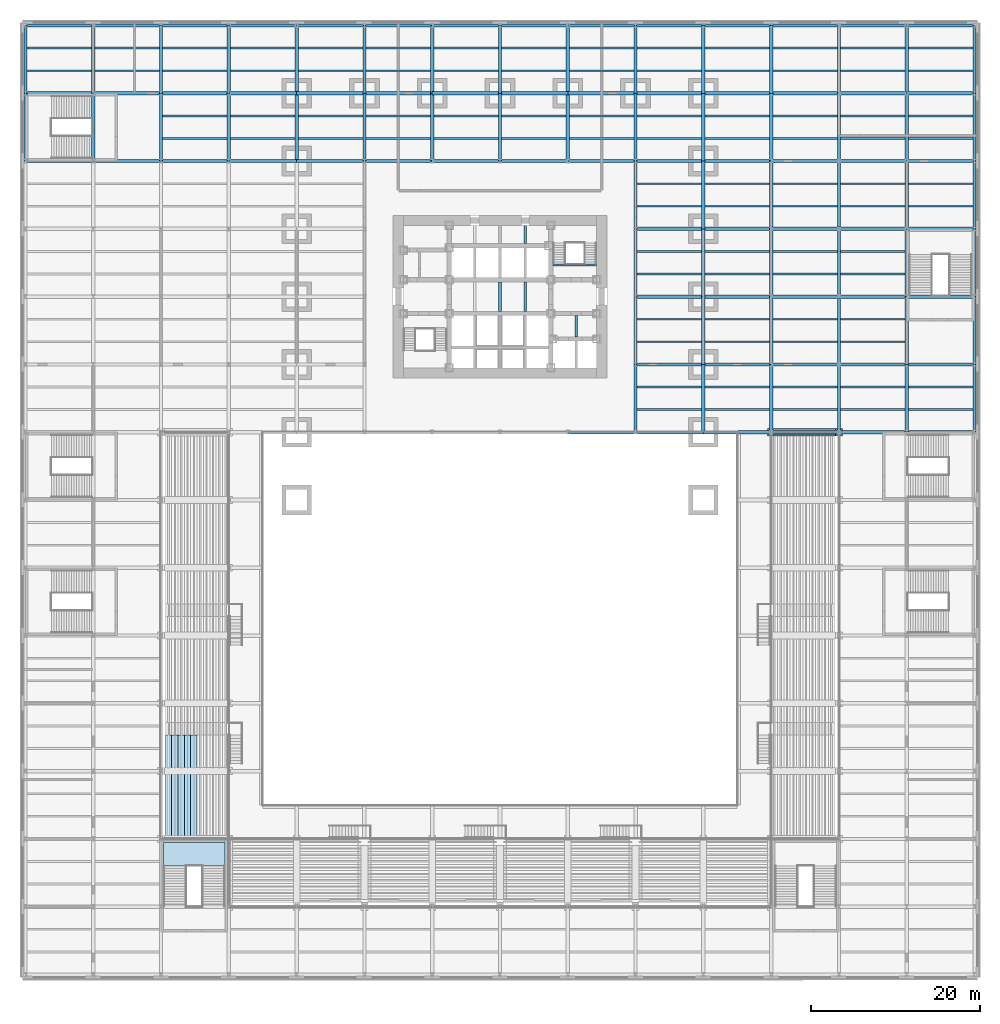
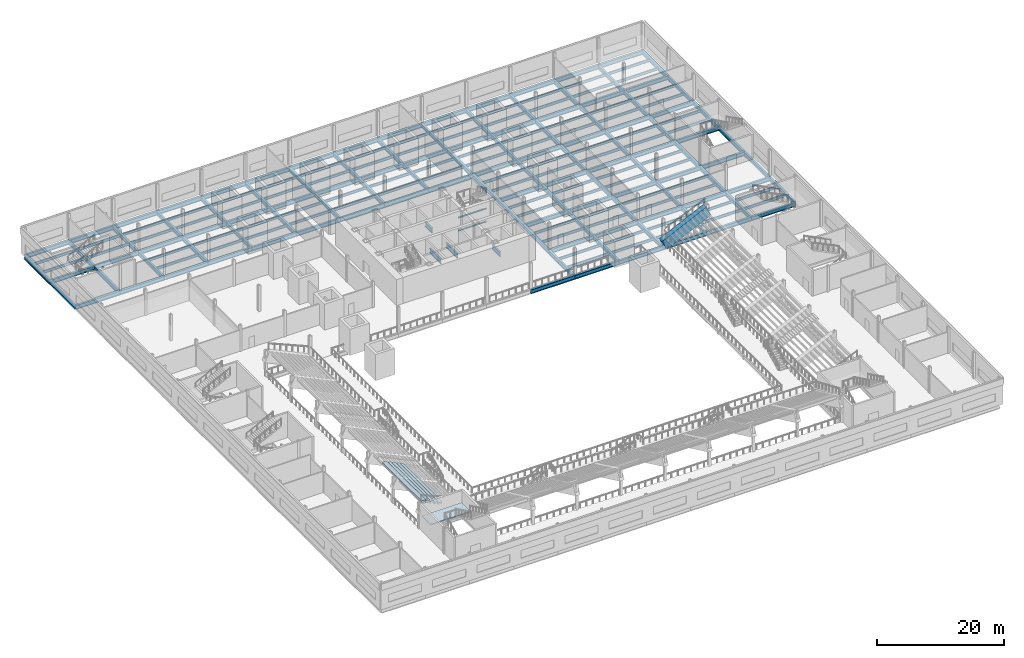
# One storey, part 10 of 27: 212 beams, 6 slabs, 1 element without a shape of its own.
"""IFC4 building model written with IfcOpenShell, lengths in metres."""

from ifc_helpers import new_model, si_unit, direction, frame, origin, origin_2d, place, context, subcontext, project, spatial, polyline, rectangle, i_section, outline, extrude, material, layer, layer_set, material_profile, profile_set, type_object, element, aggregate, save


model = new_model("IFC4")

# Units and contexts
model_context = context("Model", 3, precision=1e-05, world=origin(), true_north=direction((0.0, 1.0)))
body_context = subcontext(model_context, "Body", "Model", "MODEL_VIEW")
ifc_project = project(units=[si_unit("LENGTHUNIT", "METRE"), si_unit("AREAUNIT", "SQUARE_METRE"), si_unit("VOLUMEUNIT", "CUBIC_METRE"), si_unit("PLANEANGLEUNIT", "RADIAN"), si_unit("MASSUNIT", "GRAM", prefix="KILO")], contexts=[model_context])

# Site, building, storey
site_placement = place(None, origin())
site = spatial("IfcSite", under=ifc_project, at=site_placement, CompositionType="ELEMENT")
building_placement = place(site_placement, origin())
building = spatial("IfcBuilding", under=site, at=building_placement, Name="Daluyong Arena Tower", CompositionType="ELEMENT")
storey_placement = place(building_placement, frame((0.0, 0.0, 14.89990234375)))
storey = spatial("IfcBuildingStorey", under=building, at=storey_placement, Name="L03", CompositionType="ELEMENT", Elevation=14.89990234375)

# Beams
ifc_material_1 = material(Name="Steel ASTM A572 Grade 50", Category="steel")
ifc_material_profile_1 = material_profile(ifc_material_1, i_section(OverallWidth=0.300048828125, OverallDepth=0.89990234375, WebThickness=0.025, FlangeThickness=0.04, at=origin_2d()))
ifc_profile_set_1 = profile_set([ifc_material_profile_1], Name="Steel ASTM A572 Grade 50")
beam_type_1 = type_object("IfcBeamType", Name="Lift divider beam PG900X300", PredefinedType="BEAM", material=ifc_profile_set_1)
for number, where, z_axis, x_axis, name in (
    (1, (56.0, 78.25, -0.64990234375), (0.0, 1.0, 0.0), (-1.0, 0.0, 0.0), "lift divider beam DB1"),
    (2, (59.0, 78.25, -0.64990234375), (0.0, 1.0, 0.0), (-1.0, 0.0, 0.0), "lift divider beam DB1"),
):
    element("IfcBeam", number, at=place(storey_placement, frame(where, z_axis=z_axis, x_axis=x_axis)), inside=storey, type_object=beam_type_1, Name=name, PredefinedType="BEAM", context=body_context, shape_type="SweptSolid", body=[
        extrude(i_section(OverallWidth=0.300048828125, OverallDepth=0.89990234375, WebThickness=0.025, FlangeThickness=0.04, at=origin_2d()), origin(), (0.0, 0.0, 1.0), 3.5),
    ])
beam_1_placement = place(storey_placement, frame((59.0, 86.25, -0.64990234375), z_axis=(0.0, 1.0, 0.0), x_axis=(-1.0, 0.0, 0.0)))
element("IfcBeam", 3, at=beam_1_placement, inside=storey, type_object=beam_type_1, Name="lift divider beam DB1", PredefinedType="BEAM", context=body_context, shape_type="SweptSolid", body=[
    extrude(i_section(OverallWidth=0.300048828125, OverallDepth=0.89990234375, WebThickness=0.025, FlangeThickness=0.04, at=origin_2d()), origin(), (0.0, 0.0, 1.0), 2.14990234375),
])
beam_2_placement = place(storey_placement, frame((65.0, 75.25, -0.64990234375), z_axis=(0.0, 1.0, 0.0), x_axis=(-1.0, 0.0, 0.0)))
element("IfcBeam", 4, at=beam_2_placement, inside=storey, type_object=beam_type_1, Name="lift divider beam DB1", PredefinedType="BEAM", context=body_context, shape_type="SweptSolid", body=[
    extrude(i_section(OverallWidth=0.300048828125, OverallDepth=0.89990234375, WebThickness=0.025, FlangeThickness=0.04, at=origin_2d()), origin(), (0.0, 0.0, 1.0), 2.5),
])
ifc_material_2 = material(Name="Steel ASTM A992 Grade 50", Category="steel")
ifc_material_profile_2 = material_profile(ifc_material_2, i_section(OverallWidth=0.209228515625, OverallDepth=0.533447265625, WebThickness=0.01025390625, FlangeThickness=0.015625, at=origin_2d()))
ifc_profile_set_2 = profile_set([ifc_material_profile_2], Name="Steel ASTM A992 Grade 50")
beam_type_2 = type_object("IfcBeamType", Name="Podium floor beam W21X62", PredefinedType="BEAM", material=ifc_profile_set_2)
for number, where, z_axis, x_axis, name in (
    (5, (0.1904296875, 106.666748046875, -0.466552734375), (1.0, 0.0, 0.0), (0.0, 1.0, 0.0), "podium floor beam PB1"),
    (6, (0.1904296875, 109.333251953125, -0.466552734375), (1.0, 0.0, 0.0), (0.0, 1.0, 0.0), "podium floor beam PB1"),
    (7, (8.1904296875, 106.666748046875, -0.466552734375), (1.0, 0.0, 0.0), (0.0, 1.0, 0.0), "podium floor beam PB1"),
    (8, (8.1904296875, 109.333251953125, -0.466552734375), (1.0, 0.0, 0.0), (0.0, 1.0, 0.0), "podium floor beam PB1"),
    (9, (16.1904296875, 98.666748046875, -0.466552734375), (1.0, 0.0, 0.0), (0.0, 1.0, 0.0), "podium floor beam PB1"),
    (10, (16.1904296875, 101.333251953125, -0.466552734375), (1.0, 0.0, 0.0), (0.0, 1.0, 0.0), "podium floor beam PB1"),
    (11, (16.1904296875, 106.666748046875, -0.466552734375), (1.0, 0.0, 0.0), (0.0, 1.0, 0.0), "podium floor beam PB1"),
    (12, (16.1904296875, 109.333251953125, -0.466552734375), (1.0, 0.0, 0.0), (0.0, 1.0, 0.0), "podium floor beam PB1"),
    (13, (24.1904296875, 98.666748046875, -0.466552734375), (1.0, 0.0, 0.0), (0.0, 1.0, 0.0), "podium floor beam PB1"),
    (14, (24.1904296875, 101.333251953125, -0.466552734375), (1.0, 0.0, 0.0), (0.0, 1.0, 0.0), "podium floor beam PB1"),
    (15, (24.1904296875, 106.666748046875, -0.466552734375), (1.0, 0.0, 0.0), (0.0, 1.0, 0.0), "podium floor beam PB1"),
    (16, (24.1904296875, 109.333251953125, -0.466552734375), (1.0, 0.0, 0.0), (0.0, 1.0, 0.0), "podium floor beam PB1"),
    (17, (32.1904296875, 98.666748046875, -0.466552734375), (1.0, 0.0, 0.0), (0.0, 1.0, 0.0), "podium floor beam PB1"),
    (18, (32.1904296875, 101.333251953125, -0.466552734375), (1.0, 0.0, 0.0), (0.0, 1.0, 0.0), "podium floor beam PB1"),
    (19, (32.1904296875, 106.666748046875, -0.466552734375), (1.0, 0.0, 0.0), (0.0, 1.0, 0.0), "podium floor beam PB1"),
    (20, (32.1904296875, 109.333251953125, -0.466552734375), (1.0, 0.0, 0.0), (0.0, 1.0, 0.0), "podium floor beam PB1"),
    (21, (40.1904296875, 98.666748046875, -0.466552734375), (1.0, 0.0, 0.0), (0.0, 1.0, 0.0), "podium floor beam PB1"),
    (22, (40.1904296875, 101.333251953125, -0.466552734375), (1.0, 0.0, 0.0), (0.0, 1.0, 0.0), "podium floor beam PB1"),
    (23, (40.1904296875, 106.666748046875, -0.466552734375), (1.0, 0.0, 0.0), (0.0, 1.0, 0.0), "podium floor beam PB1"),
    (24, (40.1904296875, 109.333251953125, -0.466552734375), (1.0, 0.0, 0.0), (0.0, 1.0, 0.0), "podium floor beam PB1"),
    (25, (48.1904296875, 98.666748046875, -0.466552734375), (1.0, 0.0, 0.0), (0.0, 1.0, 0.0), "podium floor beam PB1"),
    (26, (48.1904296875, 101.333251953125, -0.466552734375), (1.0, 0.0, 0.0), (0.0, 1.0, 0.0), "podium floor beam PB1"),
    (27, (48.1904296875, 106.666748046875, -0.466552734375), (1.0, 0.0, 0.0), (0.0, 1.0, 0.0), "podium floor beam PB1"),
    (28, (48.1904296875, 109.333251953125, -0.466552734375), (1.0, 0.0, 0.0), (0.0, 1.0, 0.0), "podium floor beam PB1"),
    (29, (56.1904296875, 98.666748046875, -0.466552734375), (1.0, 0.0, 0.0), (0.0, 1.0, 0.0), "podium floor beam PB1"),
    (30, (56.1904296875, 101.333251953125, -0.466552734375), (1.0, 0.0, 0.0), (0.0, 1.0, 0.0), "podium floor beam PB1"),
    (31, (56.1904296875, 106.666748046875, -0.466552734375), (1.0, 0.0, 0.0), (0.0, 1.0, 0.0), "podium floor beam PB1"),
    (32, (56.1904296875, 109.333251953125, -0.466552734375), (1.0, 0.0, 0.0), (0.0, 1.0, 0.0), "podium floor beam PB1"),
    (33, (64.1904296875, 98.666748046875, -0.466552734375), (1.0, 0.0, 0.0), (0.0, 1.0, 0.0), "podium floor beam PB1"),
    (34, (64.1904296875, 101.333251953125, -0.466552734375), (1.0, 0.0, 0.0), (0.0, 1.0, 0.0), "podium floor beam PB1"),
    (35, (64.1904296875, 106.666748046875, -0.466552734375), (1.0, 0.0, 0.0), (0.0, 1.0, 0.0), "podium floor beam PB1"),
    (36, (64.1904296875, 109.333251953125, -0.466552734375), (1.0, 0.0, 0.0), (0.0, 1.0, 0.0), "podium floor beam PB1"),
    (37, (72.1904296875, 66.666748046875, -0.466552734375), (1.0, 0.0, 0.0), (0.0, 1.0, 0.0), "podium floor beam PB1"),
    (38, (72.1904296875, 69.333251953125, -0.466552734375), (1.0, 0.0, 0.0), (0.0, 1.0, 0.0), "podium floor beam PB1"),
    (39, (72.1904296875, 74.666748046875, -0.466552734375), (1.0, 0.0, 0.0), (0.0, 1.0, 0.0), "podium floor beam PB1"),
    (40, (72.1904296875, 77.333251953125, -0.466552734375), (1.0, 0.0, 0.0), (0.0, 1.0, 0.0), "podium floor beam PB1"),
    (41, (72.1904296875, 82.666748046875, -0.466552734375), (1.0, 0.0, 0.0), (0.0, 1.0, 0.0), "podium floor beam PB1"),
    (42, (72.1904296875, 85.333251953125, -0.466552734375), (1.0, 0.0, 0.0), (0.0, 1.0, 0.0), "podium floor beam PB1"),
    (43, (72.1904296875, 90.666748046875, -0.466552734375), (1.0, 0.0, 0.0), (0.0, 1.0, 0.0), "podium floor beam PB1"),
    (44, (72.1904296875, 93.333251953125, -0.466552734375), (1.0, 0.0, 0.0), (0.0, 1.0, 0.0), "podium floor beam PB1"),
    (45, (72.1904296875, 98.666748046875, -0.466552734375), (1.0, 0.0, 0.0), (0.0, 1.0, 0.0), "podium floor beam PB1"),
    (46, (72.1904296875, 101.333251953125, -0.466552734375), (1.0, 0.0, 0.0), (0.0, 1.0, 0.0), "podium floor beam PB1"),
    (47, (72.1904296875, 106.666748046875, -0.466552734375), (1.0, 0.0, 0.0), (0.0, 1.0, 0.0), "podium floor beam PB1"),
    (48, (72.1904296875, 109.333251953125, -0.466552734375), (1.0, 0.0, 0.0), (0.0, 1.0, 0.0), "podium floor beam PB1"),
    (49, (80.1904296875, 66.666748046875, -0.466552734375), (1.0, 0.0, 0.0), (0.0, 1.0, 0.0), "podium floor beam PB1"),
    (50, (80.1904296875, 69.333251953125, -0.466552734375), (1.0, 0.0, 0.0), (0.0, 1.0, 0.0), "podium floor beam PB1"),
    (51, (80.1904296875, 74.666748046875, -0.466552734375), (1.0, 0.0, 0.0), (0.0, 1.0, 0.0), "podium floor beam PB1"),
    (52, (80.1904296875, 77.333251953125, -0.466552734375), (1.0, 0.0, 0.0), (0.0, 1.0, 0.0), "podium floor beam PB1"),
    (53, (80.1904296875, 82.666748046875, -0.466552734375), (1.0, 0.0, 0.0), (0.0, 1.0, 0.0), "podium floor beam PB1"),
    (54, (80.1904296875, 85.333251953125, -0.466552734375), (1.0, 0.0, 0.0), (0.0, 1.0, 0.0), "podium floor beam PB1"),
    (55, (80.1904296875, 90.666748046875, -0.466552734375), (1.0, 0.0, 0.0), (0.0, 1.0, 0.0), "podium floor beam PB1"),
    (56, (80.1904296875, 93.333251953125, -0.466552734375), (1.0, 0.0, 0.0), (0.0, 1.0, 0.0), "podium floor beam PB1"),
    (57, (80.1904296875, 98.666748046875, -0.466552734375), (1.0, 0.0, 0.0), (0.0, 1.0, 0.0), "podium floor beam PB1"),
    (58, (80.1904296875, 101.333251953125, -0.466552734375), (1.0, 0.0, 0.0), (0.0, 1.0, 0.0), "podium floor beam PB1"),
    (59, (80.1904296875, 106.666748046875, -0.466552734375), (1.0, 0.0, 0.0), (0.0, 1.0, 0.0), "podium floor beam PB1"),
    (60, (80.1904296875, 109.333251953125, -0.466552734375), (1.0, 0.0, 0.0), (0.0, 1.0, 0.0), "podium floor beam PB1"),
    (61, (88.1904296875, 66.666748046875, -0.466552734375), (1.0, 0.0, 0.0), (0.0, 1.0, 0.0), "podium floor beam PB1"),
    (62, (88.1904296875, 69.333251953125, -0.466552734375), (1.0, 0.0, 0.0), (0.0, 1.0, 0.0), "podium floor beam PB1"),
    (63, (88.1904296875, 74.666748046875, -0.466552734375), (1.0, 0.0, 0.0), (0.0, 1.0, 0.0), "podium floor beam PB1"),
    (64, (88.1904296875, 77.333251953125, -0.466552734375), (1.0, 0.0, 0.0), (0.0, 1.0, 0.0), "podium floor beam PB1"),
    (65, (88.1904296875, 82.666748046875, -0.466552734375), (1.0, 0.0, 0.0), (0.0, 1.0, 0.0), "podium floor beam PB1"),
    (66, (88.1904296875, 85.333251953125, -0.466552734375), (1.0, 0.0, 0.0), (0.0, 1.0, 0.0), "podium floor beam PB1"),
    (67, (88.1904296875, 90.666748046875, -0.466552734375), (1.0, 0.0, 0.0), (0.0, 1.0, 0.0), "podium floor beam PB1"),
    (68, (88.1904296875, 93.333251953125, -0.466552734375), (1.0, 0.0, 0.0), (0.0, 1.0, 0.0), "podium floor beam PB1"),
    (69, (88.1904296875, 98.666748046875, -0.466552734375), (1.0, 0.0, 0.0), (0.0, 1.0, 0.0), "podium floor beam PB1"),
    (70, (88.1904296875, 101.333251953125, -0.466552734375), (1.0, 0.0, 0.0), (0.0, 1.0, 0.0), "podium floor beam PB1"),
    (71, (88.1904296875, 106.666748046875, -0.466552734375), (1.0, 0.0, 0.0), (0.0, 1.0, 0.0), "podium floor beam PB1"),
    (72, (88.1904296875, 109.333251953125, -0.466552734375), (1.0, 0.0, 0.0), (0.0, 1.0, 0.0), "podium floor beam PB1"),
    (73, (96.1904296875, 66.666748046875, -0.466552734375), (1.0, 0.0, 0.0), (0.0, 1.0, 0.0), "podium floor beam PB1"),
    (74, (96.1904296875, 69.333251953125, -0.466552734375), (1.0, 0.0, 0.0), (0.0, 1.0, 0.0), "podium floor beam PB1"),
    (75, (96.1904296875, 74.666748046875, -0.466552734375), (1.0, 0.0, 0.0), (0.0, 1.0, 0.0), "podium floor beam PB1"),
    (76, (96.1904296875, 77.333251953125, -0.466552734375), (1.0, 0.0, 0.0), (0.0, 1.0, 0.0), "podium floor beam PB1"),
    (77, (96.1904296875, 82.666748046875, -0.466552734375), (1.0, 0.0, 0.0), (0.0, 1.0, 0.0), "podium floor beam PB1"),
    (78, (96.1904296875, 85.333251953125, -0.466552734375), (1.0, 0.0, 0.0), (0.0, 1.0, 0.0), "podium floor beam PB1"),
    (79, (96.1904296875, 90.666748046875, -0.466552734375), (1.0, 0.0, 0.0), (0.0, 1.0, 0.0), "podium floor beam PB1"),
    (80, (96.1904296875, 93.333251953125, -0.466552734375), (1.0, 0.0, 0.0), (0.0, 1.0, 0.0), "podium floor beam PB1"),
    (81, (96.1904296875, 98.666748046875, -0.466552734375), (1.0, 0.0, 0.0), (0.0, 1.0, 0.0), "podium floor beam PB1"),
    (82, (96.1904296875, 101.333251953125, -0.466552734375), (1.0, 0.0, 0.0), (0.0, 1.0, 0.0), "podium floor beam PB1"),
    (83, (96.1904296875, 106.666748046875, -0.466552734375), (1.0, 0.0, 0.0), (0.0, 1.0, 0.0), "podium floor beam PB1"),
    (84, (96.1904296875, 109.333251953125, -0.466552734375), (1.0, 0.0, 0.0), (0.0, 1.0, 0.0), "podium floor beam PB1"),
    (85, (104.1904296875, 66.666748046875, -0.466552734375), (1.0, 0.0, 0.0), (0.0, 1.0, 0.0), "podium floor beam PB1"),
    (86, (104.1904296875, 69.333251953125, -0.466552734375), (1.0, 0.0, 0.0), (0.0, 1.0, 0.0), "podium floor beam PB1"),
    (87, (104.1904296875, 90.666748046875, -0.466552734375), (1.0, 0.0, 0.0), (0.0, 1.0, 0.0), "podium floor beam PB1"),
    (88, (104.1904296875, 93.333251953125, -0.466552734375), (1.0, 0.0, 0.0), (0.0, 1.0, 0.0), "podium floor beam PB1"),
    (89, (104.1904296875, 98.666748046875, -0.466552734375), (1.0, 0.0, 0.0), (0.0, 1.0, 0.0), "podium floor beam PB1"),
    (90, (104.1904296875, 101.333251953125, -0.466552734375), (1.0, 0.0, 0.0), (0.0, 1.0, 0.0), "podium floor beam PB1"),
    (91, (104.1904296875, 106.666748046875, -0.466552734375), (1.0, 0.0, 0.0), (0.0, 1.0, 0.0), "podium floor beam PB1"),
    (92, (104.1904296875, 109.333251953125, -0.466552734375), (1.0, 0.0, 0.0), (0.0, 1.0, 0.0), "podium floor beam PB1"),
):
    element("IfcBeam", number, at=place(storey_placement, frame(where, z_axis=z_axis, x_axis=x_axis)), inside=storey, type_object=beam_type_2, Name=name, PredefinedType="BEAM", context=body_context, shape_type="SweptSolid", body=[
        extrude(i_section(OverallWidth=0.209228515625, OverallDepth=0.533447265625, WebThickness=0.01025390625, FlangeThickness=0.015625, at=origin_2d()), origin(), (0.0, 0.0, 1.0), 7.619140625),
    ])
ifc_material_3 = material(Name="Steel ASTM A992 Grade 50", Category="steel")
ifc_material_profile_3 = material_profile(ifc_material_3, i_section(OverallWidth=0.381103515625, OverallDepth=0.772216796875, WebThickness=0.0166015625, FlangeThickness=0.027099609375, at=origin_2d()))
ifc_profile_set_3 = profile_set([ifc_material_profile_3], Name="Steel ASTM A992 Grade 50")
beam_type_3 = type_object("IfcBeamType", Name="Podium girder W30X173", PredefinedType="BEAM", material=ifc_profile_set_3)
for number, where, z_axis, x_axis, name in (
    (93, (0.0, 96.0, -0.5859375), (1.0, 0.0, 0.0), (0.0, 1.0, 0.0), "podium girder PG1"),
    (94, (0.0, 96.0, -0.5859375), (0.0, 1.0, 0.0), (-1.0, 0.0, 0.0), "podium girder PG1"),
    (95, (0.0, 104.0, -0.5859375), (1.0, 0.0, 0.0), (0.0, 1.0, 0.0), "podium girder PG1"),
    (96, (0.0, 104.0, -0.5859375), (0.0, 1.0, 0.0), (-1.0, 0.0, 0.0), "podium girder PG1"),
    (97, (0.0, 112.0, -0.5859375), (1.0, 0.0, 0.0), (0.0, 1.0, 0.0), "podium girder PG1"),
    (98, (8.0, 96.0, -0.5859375), (1.0, 0.0, 0.0), (0.0, 1.0, 0.0), "podium girder PG1"),
    (99, (8.0, 96.0, -0.5859375), (0.0, 1.0, 0.0), (-1.0, 0.0, 0.0), "podium girder PG1"),
    (100, (8.0, 104.0, -0.5859375), (1.0, 0.0, 0.0), (0.0, 1.0, 0.0), "podium girder PG1"),
    (101, (8.0, 104.0, -0.5859375), (0.0, 1.0, 0.0), (-1.0, 0.0, 0.0), "podium girder PG1"),
    (102, (8.0, 112.0, -0.5859375), (1.0, 0.0, 0.0), (0.0, 1.0, 0.0), "podium girder PG1"),
    (103, (16.0, 96.0, -0.5859375), (1.0, 0.0, 0.0), (0.0, 1.0, 0.0), "podium girder PG1"),
    (104, (16.0, 96.0, -0.5859375), (0.0, 1.0, 0.0), (-1.0, 0.0, 0.0), "podium girder PG1"),
    (105, (16.0, 104.0, -0.5859375), (1.0, 0.0, 0.0), (0.0, 1.0, 0.0), "podium girder PG1"),
    (106, (16.0, 104.0, -0.5859375), (0.0, 1.0, 0.0), (-1.0, 0.0, 0.0), "podium girder PG1"),
    (107, (16.0, 112.0, -0.5859375), (1.0, 0.0, 0.0), (0.0, 1.0, 0.0), "podium girder PG1"),
    (108, (24.0, 96.0, -0.5859375), (1.0, 0.0, 0.0), (0.0, 1.0, 0.0), "podium girder PG1"),
    (109, (24.0, 96.0, -0.5859375), (0.0, 1.0, 0.0), (-1.0, 0.0, 0.0), "podium girder PG1"),
    (110, (24.0, 104.0, -0.5859375), (1.0, 0.0, 0.0), (0.0, 1.0, 0.0), "podium girder PG1"),
    (111, (24.0, 104.0, -0.5859375), (0.0, 1.0, 0.0), (-1.0, 0.0, 0.0), "podium girder PG1"),
    (112, (24.0, 112.0, -0.5859375), (1.0, 0.0, 0.0), (0.0, 1.0, 0.0), "podium girder PG1"),
    (113, (32.0, 96.0, -0.5859375), (1.0, 0.0, 0.0), (0.0, 1.0, 0.0), "podium girder PG1"),
    (114, (32.0, 96.0, -0.5859375), (0.0, 1.0, 0.0), (-1.0, 0.0, 0.0), "podium girder PG1"),
    (115, (32.0, 104.0, -0.5859375), (1.0, 0.0, 0.0), (0.0, 1.0, 0.0), "podium girder PG1"),
    (116, (32.0, 104.0, -0.5859375), (0.0, 1.0, 0.0), (-1.0, 0.0, 0.0), "podium girder PG1"),
    (117, (32.0, 112.0, -0.5859375), (1.0, 0.0, 0.0), (0.0, 1.0, 0.0), "podium girder PG1"),
    (118, (40.0, 96.0, -0.5859375), (1.0, 0.0, 0.0), (0.0, 1.0, 0.0), "podium girder PG1"),
    (119, (40.0, 96.0, -0.5859375), (0.0, 1.0, 0.0), (-1.0, 0.0, 0.0), "podium girder PG1"),
    (120, (40.0, 104.0, -0.5859375), (1.0, 0.0, 0.0), (0.0, 1.0, 0.0), "podium girder PG1"),
    (121, (40.0, 104.0, -0.5859375), (0.0, 1.0, 0.0), (-1.0, 0.0, 0.0), "podium girder PG1"),
    (122, (40.0, 112.0, -0.5859375), (1.0, 0.0, 0.0), (0.0, 1.0, 0.0), "podium girder PG1"),
    (123, (48.0, 96.0, -0.5859375), (1.0, 0.0, 0.0), (0.0, 1.0, 0.0), "podium girder PG1"),
    (124, (48.0, 96.0, -0.5859375), (0.0, 1.0, 0.0), (-1.0, 0.0, 0.0), "podium girder PG1"),
    (125, (48.0, 104.0, -0.5859375), (1.0, 0.0, 0.0), (0.0, 1.0, 0.0), "podium girder PG1"),
    (126, (48.0, 104.0, -0.5859375), (0.0, 1.0, 0.0), (-1.0, 0.0, 0.0), "podium girder PG1"),
    (127, (48.0, 112.0, -0.5859375), (1.0, 0.0, 0.0), (0.0, 1.0, 0.0), "podium girder PG1"),
    (128, (56.0, 96.0, -0.5859375), (1.0, 0.0, 0.0), (0.0, 1.0, 0.0), "podium girder PG1"),
    (129, (56.0, 96.0, -0.5859375), (0.0, 1.0, 0.0), (-1.0, 0.0, 0.0), "podium girder PG1"),
    (130, (56.0, 104.0, -0.5859375), (1.0, 0.0, 0.0), (0.0, 1.0, 0.0), "podium girder PG1"),
    (131, (56.0, 104.0, -0.5859375), (0.0, 1.0, 0.0), (-1.0, 0.0, 0.0), "podium girder PG1"),
    (132, (56.0, 112.0, -0.5859375), (1.0, 0.0, 0.0), (0.0, 1.0, 0.0), "podium girder PG1"),
    (133, (64.0, 64.0, -0.5859375), (1.0, 0.0, 0.0), (0.0, 1.0, 0.0), "podium girder PG1"),
    (134, (64.0, 96.0, -0.5859375), (1.0, 0.0, 0.0), (0.0, 1.0, 0.0), "podium girder PG1"),
    (135, (64.0, 96.0, -0.5859375), (0.0, 1.0, 0.0), (-1.0, 0.0, 0.0), "podium girder PG1"),
    (136, (64.0, 104.0, -0.5859375), (1.0, 0.0, 0.0), (0.0, 1.0, 0.0), "podium girder PG1"),
    (137, (64.0, 104.0, -0.5859375), (0.0, 1.0, 0.0), (-1.0, 0.0, 0.0), "podium girder PG1"),
    (138, (64.0, 112.0, -0.5859375), (1.0, 0.0, 0.0), (0.0, 1.0, 0.0), "podium girder PG1"),
    (139, (72.0, 64.0, -0.5859375), (1.0, 0.0, 0.0), (0.0, 1.0, 0.0), "podium girder PG1"),
    (140, (72.0, 64.0, -0.5859375), (0.0, 1.0, 0.0), (-1.0, 0.0, 0.0), "podium girder PG1"),
    (141, (72.0, 72.0, -0.5859375), (1.0, 0.0, 0.0), (0.0, 1.0, 0.0), "podium girder PG1"),
    (142, (72.0, 72.0, -0.5859375), (0.0, 1.0, 0.0), (-1.0, 0.0, 0.0), "podium girder PG1"),
    (143, (72.0, 80.0, -0.5859375), (1.0, 0.0, 0.0), (0.0, 1.0, 0.0), "podium girder PG1"),
    (144, (72.0, 80.0, -0.5859375), (0.0, 1.0, 0.0), (-1.0, 0.0, 0.0), "podium girder PG1"),
    (145, (72.0, 88.0, -0.5859375), (1.0, 0.0, 0.0), (0.0, 1.0, 0.0), "podium girder PG1"),
    (146, (72.0, 88.0, -0.5859375), (0.0, 1.0, 0.0), (-1.0, 0.0, 0.0), "podium girder PG1"),
    (147, (72.0, 96.0, -0.5859375), (1.0, 0.0, 0.0), (0.0, 1.0, 0.0), "podium girder PG1"),
    (148, (72.0, 96.0, -0.5859375), (0.0, 1.0, 0.0), (-1.0, 0.0, 0.0), "podium girder PG1"),
    (149, (72.0, 104.0, -0.5859375), (1.0, 0.0, 0.0), (0.0, 1.0, 0.0), "podium girder PG1"),
    (150, (72.0, 104.0, -0.5859375), (0.0, 1.0, 0.0), (-1.0, 0.0, 0.0), "podium girder PG1"),
    (151, (72.0, 112.0, -0.5859375), (1.0, 0.0, 0.0), (0.0, 1.0, 0.0), "podium girder PG1"),
    (152, (80.0, 64.0, -0.5859375), (1.0, 0.0, 0.0), (0.0, 1.0, 0.0), "podium girder PG1"),
    (153, (80.0, 64.0, -0.5859375), (0.0, 1.0, 0.0), (-1.0, 0.0, 0.0), "podium girder PG1"),
    (154, (80.0, 72.0, -0.5859375), (1.0, 0.0, 0.0), (0.0, 1.0, 0.0), "podium girder PG1"),
    (155, (80.0, 72.0, -0.5859375), (0.0, 1.0, 0.0), (-1.0, 0.0, 0.0), "podium girder PG1"),
    (156, (80.0, 80.0, -0.5859375), (1.0, 0.0, 0.0), (0.0, 1.0, 0.0), "podium girder PG1"),
    (157, (80.0, 80.0, -0.5859375), (0.0, 1.0, 0.0), (-1.0, 0.0, 0.0), "podium girder PG1"),
    (158, (80.0, 88.0, -0.5859375), (1.0, 0.0, 0.0), (0.0, 1.0, 0.0), "podium girder PG1"),
    (159, (80.0, 88.0, -0.5859375), (0.0, 1.0, 0.0), (-1.0, 0.0, 0.0), "podium girder PG1"),
    (160, (80.0, 96.0, -0.5859375), (1.0, 0.0, 0.0), (0.0, 1.0, 0.0), "podium girder PG1"),
    (161, (80.0, 96.0, -0.5859375), (0.0, 1.0, 0.0), (-1.0, 0.0, 0.0), "podium girder PG1"),
    (162, (80.0, 104.0, -0.5859375), (1.0, 0.0, 0.0), (0.0, 1.0, 0.0), "podium girder PG1"),
    (163, (80.0, 104.0, -0.5859375), (0.0, 1.0, 0.0), (-1.0, 0.0, 0.0), "podium girder PG1"),
    (164, (80.0, 112.0, -0.5859375), (1.0, 0.0, 0.0), (0.0, 1.0, 0.0), "podium girder PG1"),
    (165, (88.0, 64.0, -0.5859375), (1.0, 0.0, 0.0), (0.0, 1.0, 0.0), "podium girder PG1"),
    (166, (88.0, 64.0, -0.5859375), (0.0, 1.0, 0.0), (-1.0, 0.0, 0.0), "podium girder PG1"),
    (167, (88.0, 72.0, -0.5859375), (1.0, 0.0, 0.0), (0.0, 1.0, 0.0), "podium girder PG1"),
    (168, (88.0, 72.0, -0.5859375), (0.0, 1.0, 0.0), (-1.0, 0.0, 0.0), "podium girder PG1"),
    (169, (88.0, 80.0, -0.5859375), (1.0, 0.0, 0.0), (0.0, 1.0, 0.0), "podium girder PG1"),
    (170, (88.0, 80.0, -0.5859375), (0.0, 1.0, 0.0), (-1.0, 0.0, 0.0), "podium girder PG1"),
    (171, (88.0, 88.0, -0.5859375), (1.0, 0.0, 0.0), (0.0, 1.0, 0.0), "podium girder PG1"),
    (172, (88.0, 88.0, -0.5859375), (0.0, 1.0, 0.0), (-1.0, 0.0, 0.0), "podium girder PG1"),
    (173, (88.0, 96.0, -0.5859375), (1.0, 0.0, 0.0), (0.0, 1.0, 0.0), "podium girder PG1"),
    (174, (88.0, 96.0, -0.5859375), (0.0, 1.0, 0.0), (-1.0, 0.0, 0.0), "podium girder PG1"),
    (175, (88.0, 104.0, -0.5859375), (1.0, 0.0, 0.0), (0.0, 1.0, 0.0), "podium girder PG1"),
    (176, (88.0, 104.0, -0.5859375), (0.0, 1.0, 0.0), (-1.0, 0.0, 0.0), "podium girder PG1"),
    (177, (88.0, 112.0, -0.5859375), (1.0, 0.0, 0.0), (0.0, 1.0, 0.0), "podium girder PG1"),
    (178, (96.0, 64.0, -0.5859375), (1.0, 0.0, 0.0), (0.0, 1.0, 0.0), "podium girder PG1"),
    (179, (96.0, 64.0, -0.5859375), (0.0, 1.0, 0.0), (-1.0, 0.0, 0.0), "podium girder PG1"),
    (180, (96.0, 72.0, -0.5859375), (1.0, 0.0, 0.0), (0.0, 1.0, 0.0), "podium girder PG1"),
    (181, (96.0, 72.0, -0.5859375), (0.0, 1.0, 0.0), (-1.0, 0.0, 0.0), "podium girder PG1"),
    (182, (96.0, 80.0, -0.5859375), (1.0, 0.0, 0.0), (0.0, 1.0, 0.0), "podium girder PG1"),
    (183, (96.0, 80.0, -0.5859375), (0.0, 1.0, 0.0), (-1.0, 0.0, 0.0), "podium girder PG1"),
    (184, (96.0, 88.0, -0.5859375), (1.0, 0.0, 0.0), (0.0, 1.0, 0.0), "podium girder PG1"),
    (185, (96.0, 88.0, -0.5859375), (0.0, 1.0, 0.0), (-1.0, 0.0, 0.0), "podium girder PG1"),
    (186, (96.0, 96.0, -0.5859375), (1.0, 0.0, 0.0), (0.0, 1.0, 0.0), "podium girder PG1"),
    (187, (96.0, 96.0, -0.5859375), (0.0, 1.0, 0.0), (-1.0, 0.0, 0.0), "podium girder PG1"),
    (188, (96.0, 104.0, -0.5859375), (1.0, 0.0, 0.0), (0.0, 1.0, 0.0), "podium girder PG1"),
    (189, (96.0, 104.0, -0.5859375), (0.0, 1.0, 0.0), (-1.0, 0.0, 0.0), "podium girder PG1"),
    (190, (96.0, 112.0, -0.5859375), (1.0, 0.0, 0.0), (0.0, 1.0, 0.0), "podium girder PG1"),
    (191, (104.0, 64.0, -0.5859375), (1.0, 0.0, 0.0), (0.0, 1.0, 0.0), "podium girder PG1"),
    (192, (104.0, 64.0, -0.5859375), (0.0, 1.0, 0.0), (-1.0, 0.0, 0.0), "podium girder PG1"),
    (193, (104.0, 72.0, -0.5859375), (1.0, 0.0, 0.0), (0.0, 1.0, 0.0), "podium girder PG1"),
    (194, (104.0, 72.0, -0.5859375), (0.0, 1.0, 0.0), (-1.0, 0.0, 0.0), "podium girder PG1"),
    (195, (104.0, 80.0, -0.5859375), (1.0, 0.0, 0.0), (0.0, 1.0, 0.0), "podium girder PG1"),
    (196, (104.0, 80.0, -0.5859375), (0.0, 1.0, 0.0), (-1.0, 0.0, 0.0), "podium girder PG1"),
    (197, (104.0, 88.0, -0.5859375), (1.0, 0.0, 0.0), (0.0, 1.0, 0.0), "podium girder PG1"),
    (198, (104.0, 88.0, -0.5859375), (0.0, 1.0, 0.0), (-1.0, 0.0, 0.0), "podium girder PG1"),
    (199, (104.0, 96.0, -0.5859375), (1.0, 0.0, 0.0), (0.0, 1.0, 0.0), "podium girder PG1"),
    (200, (104.0, 96.0, -0.5859375), (0.0, 1.0, 0.0), (-1.0, 0.0, 0.0), "podium girder PG1"),
    (201, (104.0, 104.0, -0.5859375), (1.0, 0.0, 0.0), (0.0, 1.0, 0.0), "podium girder PG1"),
    (202, (104.0, 104.0, -0.5859375), (0.0, 1.0, 0.0), (-1.0, 0.0, 0.0), "podium girder PG1"),
    (203, (104.0, 112.0, -0.5859375), (1.0, 0.0, 0.0), (0.0, 1.0, 0.0), "podium girder PG1"),
    (204, (112.0, 64.0, -0.5859375), (0.0, 1.0, 0.0), (-1.0, 0.0, 0.0), "podium girder PG1"),
    (205, (112.0, 72.0, -0.5859375), (0.0, 1.0, 0.0), (-1.0, 0.0, 0.0), "podium girder PG1"),
    (206, (112.0, 80.0, -0.5859375), (0.0, 1.0, 0.0), (-1.0, 0.0, 0.0), "podium girder PG1"),
    (207, (112.0, 88.0, -0.5859375), (0.0, 1.0, 0.0), (-1.0, 0.0, 0.0), "podium girder PG1"),
    (208, (112.0, 96.0, -0.5859375), (0.0, 1.0, 0.0), (-1.0, 0.0, 0.0), "podium girder PG1"),
    (209, (112.0, 104.0, -0.5859375), (0.0, 1.0, 0.0), (-1.0, 0.0, 0.0), "podium girder PG1"),
):
    element("IfcBeam", number, at=place(storey_placement, frame(where, z_axis=z_axis, x_axis=x_axis)), inside=storey, type_object=beam_type_3, Name=name, PredefinedType="BEAM", context=body_context, shape_type="SweptSolid", body=[
        extrude(i_section(OverallWidth=0.381103515625, OverallDepth=0.772216796875, WebThickness=0.0166015625, FlangeThickness=0.027099609375, at=origin_2d()), origin(), (0.0, 0.0, 1.0), 8.0),
    ])
ifc_material_4 = material(Name="Concrete fc' 45 MPa", Category="concrete")
ifc_material_profile_4 = material_profile(ifc_material_4, rectangle(XDim=0.89990234375, YDim=2.0, at=origin_2d()))
ifc_profile_set_4 = profile_set([ifc_material_profile_4], Name="Concrete fc' 45 MPa")
beam_type_4 = type_object("IfcBeamType", Name="Seating raker RC900X2000", PredefinedType="BEAM", material=ifc_profile_set_4)
beam_3_placement = place(storey_placement, frame((88.0, 64.0, 0.071533203125), z_axis=(0.902858481619, 0.0, 0.429937858496), x_axis=(0.0, 1.0, 0.0)))
element("IfcBeam", 210, at=beam_3_placement, inside=storey, type_object=beam_type_4, Name="seating raker RK", PredefinedType="BEAM", context=body_context, shape_type="SweptSolid", body=[
    extrude(rectangle(XDim=0.89990234375, YDim=2.0, at=origin_2d()), origin(), (0.0, 0.0, 1.0), 8.86083984375),
])
ifc_material_5 = material(Name="Steel ASTM A992 Grade 50", Category="steel")
ifc_material_profile_5 = material_profile(ifc_material_5, i_section(OverallWidth=0.203125, OverallDepth=0.203125, WebThickness=0.00732421875, FlangeThickness=0.010986328125, at=origin_2d()))
ifc_profile_set_5 = profile_set([ifc_material_profile_5], Name="Steel ASTM A992 Grade 50")
beam_type_5 = type_object("IfcBeamType", Name="Stair landing beam W8X31", PredefinedType="BEAM", material=ifc_profile_set_5)
for number, where, z_axis, x_axis, name in (
    (211, (62.25, 83.723388671875, -0.301513671875), (1.0, 0.0, 0.0), (0.0, 1.0, 0.0), "exit stair B landing beam"),
    (212, (62.25, 83.723388671875, 2.198486328125), (1.0, 0.0, 0.0), (0.0, 1.0, 0.0), "exit stair B landing beam"),
):
    element("IfcBeam", number, at=place(storey_placement, frame(where, z_axis=z_axis, x_axis=x_axis)), inside=storey, type_object=beam_type_5, Name=name, PredefinedType="BEAM", context=body_context, shape_type="SweptSolid", body=[
        extrude(i_section(OverallWidth=0.203125, OverallDepth=0.203125, WebThickness=0.00732421875, FlangeThickness=0.010986328125, at=origin_2d()), origin(), (0.0, 0.0, 1.0), 5.14990234375),
    ])

# Stair, slab
ifc_material_6 = material(Name="Concrete fc' 35 MPa", Category="concrete")
stair_type = type_object("IfcStairType", Name="Podium exit stair", PredefinedType="HALF_TURN_STAIR", material=ifc_material_6)
stair_placement = place(storey_placement, origin())
stair = element("IfcStair", 213, at=stair_placement, inside=storey, type_object=stair_type, Name="exit stair PS1 L03", PredefinedType="HALF_TURN_STAIR")
ifc_material_7 = material(Name="Concrete fc' 35 MPa", Category="concrete")
ifc_layer_1 = layer(ifc_material_7, 0.199951171875)
ifc_layer_set_1 = layer_set([ifc_layer_1], Name="Concrete fc' 35 MPa")
slab_type_1 = type_object("IfcSlabType", Name="Stair landing 200", PredefinedType="LANDING", material=ifc_layer_set_1)
slab_1_placement = place(storey_placement, frame((0.0, 0.0, 2.300048828125)))
slab_1 = element("IfcSlab", 214, at=slab_1_placement, type_object=slab_type_1, Name="PS1 landing 1", PredefinedType="LANDING", context=body_context, shape_type="SweptSolid", body=[
    extrude(outline(polyline([(16.300048828125, 12.81005859375), (23.550048828125, 12.81005859375), (23.550048828125, 15.550048828125), (16.300048828125, 15.550048828125), (16.300048828125, 12.81005859375)])), origin(), (0.0, 0.0, 1.0), 0.199951171875),
])
aggregate(stair, [slab_1])

# Slabs
ifc_material_8 = material(Name="Concrete fc' 45 MPa", Category="concrete")
ifc_layer_2 = layer(ifc_material_8, 0.357177734375)
ifc_layer_set_2 = layer_set([ifc_layer_2], Name="Concrete fc' 45 MPa")
slab_type_2 = type_object("IfcSlabType", Name="Upper seating unit", PredefinedType="USERDEFINED", material=ifc_layer_set_2)
slab_2_placement = place(storey_placement, frame((0.0, 0.0, 3.21435546875)))
element("IfcSlab", 215, at=slab_2_placement, inside=storey, type_object=slab_type_2, Name="upper seating row 6 W part 1", ObjectType="SEATING UNIT", PredefinedType="USERDEFINED", context=body_context, shape_type="SweptSolid", body=[
    extrude(outline(polyline([(20.25, 16.0), (20.25, 28.25), (19.5, 28.25), (19.5, 16.0), (20.25, 16.0)])), origin(), (0.0, 0.0, 1.0), 0.357177734375),
])
slab_3_placement = place(storey_placement, frame((0.0, 0.0, 3.571533203125)))
element("IfcSlab", 216, at=slab_3_placement, inside=storey, type_object=slab_type_2, Name="upper seating row 7 W part 1", ObjectType="SEATING UNIT", PredefinedType="USERDEFINED", context=body_context, shape_type="SweptSolid", body=[
    extrude(outline(polyline([(19.5, 16.0), (19.5, 28.25), (18.75, 28.25), (18.75, 16.0), (19.5, 16.0)])), origin(), (0.0, 0.0, 1.0), 0.357177734375),
])
slab_4_placement = place(storey_placement, frame((0.0, 0.0, 3.9287109375)))
element("IfcSlab", 217, at=slab_4_placement, inside=storey, type_object=slab_type_2, Name="upper seating row 8 W part 1", ObjectType="SEATING UNIT", PredefinedType="USERDEFINED", context=body_context, shape_type="SweptSolid", body=[
    extrude(outline(polyline([(18.75, 16.0), (18.75, 28.25), (18.0, 28.25), (18.0, 16.0), (18.75, 16.0)])), origin(), (0.0, 0.0, 1.0), 0.357177734375),
])
slab_5_placement = place(storey_placement, frame((0.0, 0.0, 4.285888671875)))
element("IfcSlab", 218, at=slab_5_placement, inside=storey, type_object=slab_type_2, Name="upper seating row 9 W part 1", ObjectType="SEATING UNIT", PredefinedType="USERDEFINED", context=body_context, shape_type="SweptSolid", body=[
    extrude(outline(polyline([(18.0, 16.0), (18.0, 28.25), (17.25, 28.25), (17.25, 16.0), (18.0, 16.0)])), origin(), (0.0, 0.0, 1.0), 0.357177734375),
])
slab_6_placement = place(storey_placement, frame((0.0, 0.0, 4.64306640625)))
element("IfcSlab", 219, at=slab_6_placement, inside=storey, type_object=slab_type_2, Name="upper seating row 10 W part 1", ObjectType="SEATING UNIT", PredefinedType="USERDEFINED", context=body_context, shape_type="SweptSolid", body=[
    extrude(outline(polyline([(17.25, 16.0), (17.25, 28.25), (16.5, 28.25), (16.5, 16.0), (17.25, 16.0)])), origin(), (0.0, 0.0, 1.0), 0.35693359375),
])

save(model, "model.ifc")
